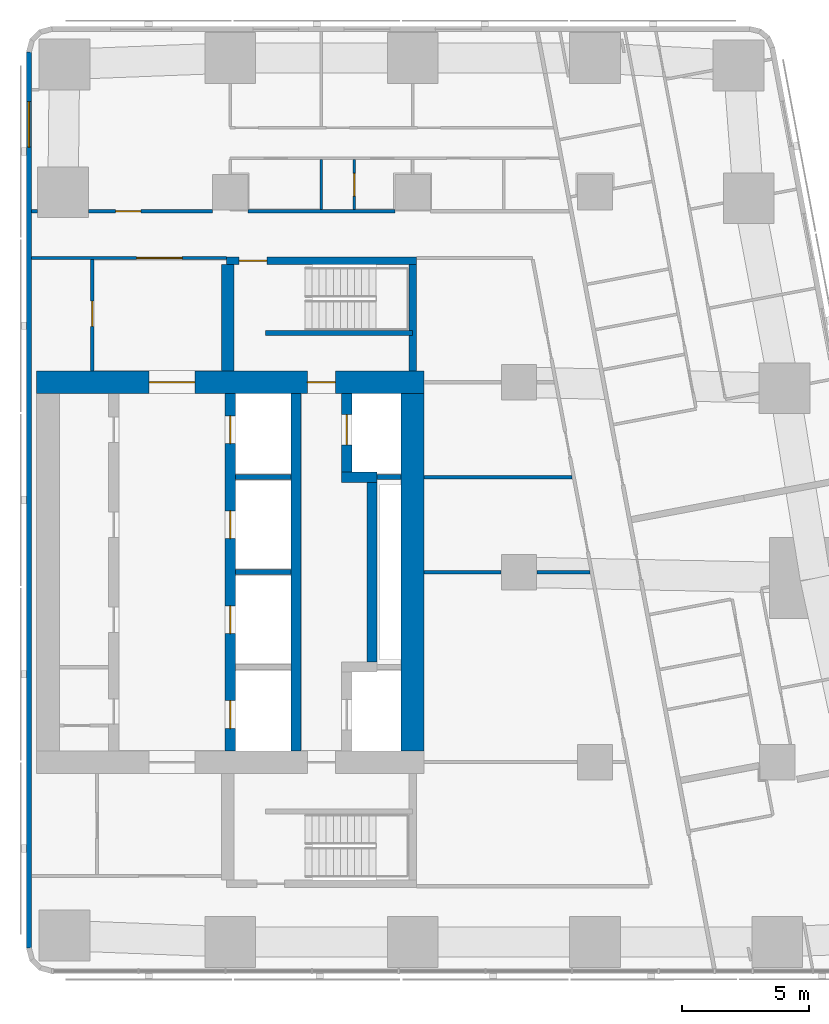
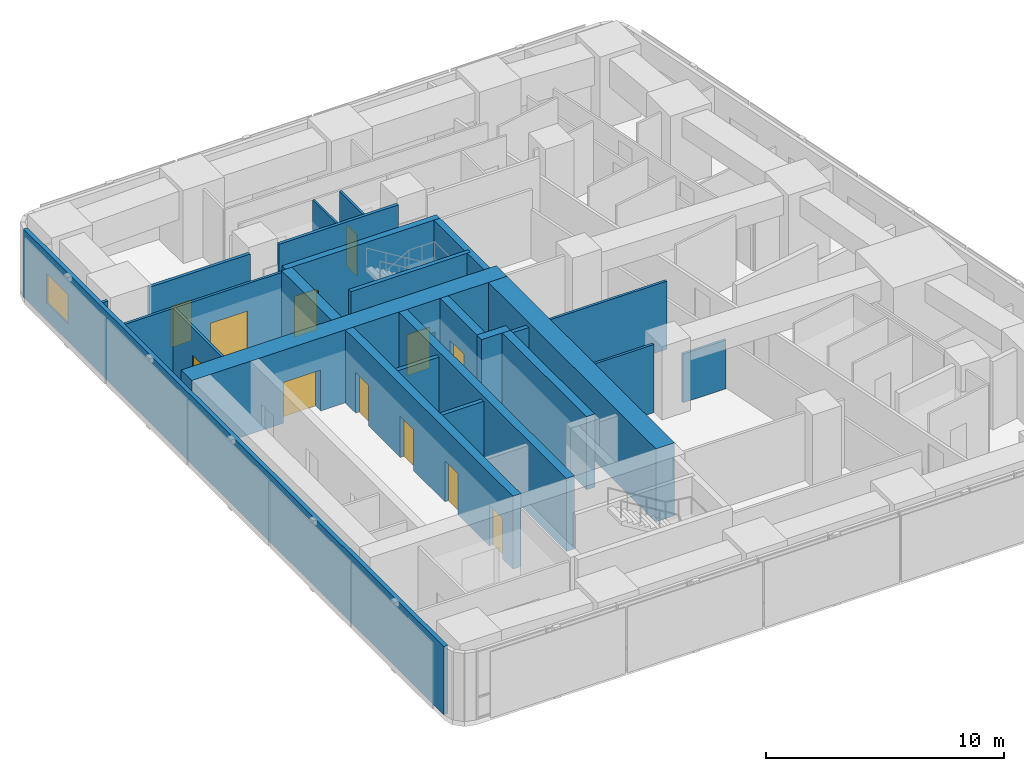
# One storey, part 6 of 11: 25 walls, 12 doors, 1 window, 13 openings.
"""IFC4 building model written with IfcOpenShell, lengths in metres."""

from ifc_helpers import new_model, si_unit, direction, frame, frame_2d, origin, place, context, subcontext, project, spatial, rectangle, extrude, material, layer, layer_set, type_object, element, fill, save


model = new_model("IFC4")

# Units and contexts
model_context = context("Model", 3, precision=1e-05, world=origin(), true_north=direction((0.0, 1.0)))
body_context = subcontext(model_context, "Body", "Model", "MODEL_VIEW")
ifc_project = project(units=[si_unit("LENGTHUNIT", "METRE"), si_unit("AREAUNIT", "SQUARE_METRE"), si_unit("VOLUMEUNIT", "CUBIC_METRE"), si_unit("PLANEANGLEUNIT", "RADIAN"), si_unit("MASSUNIT", "GRAM", prefix="KILO")], contexts=[model_context])

# Site, building, storey
site_placement = place(None, origin())
site = spatial("IfcSite", under=ifc_project, at=site_placement, CompositionType="ELEMENT")
building_placement = place(site_placement, origin())
building = spatial("IfcBuilding", under=site, at=building_placement, Name="Sheger Commons Tower", CompositionType="ELEMENT")
storey_placement = place(building_placement, frame((0.0, 0.0, 266.60009765625)))
storey = spatial("IfcBuildingStorey", under=building, at=storey_placement, Name="L68", CompositionType="ELEMENT", Elevation=266.60009765625)

# Wall, openings, doors
ifc_material_1 = material(Name="Concrete C50/60", Category="concrete")
ifc_layer_1 = layer(ifc_material_1, 0.39990234375)
ifc_layer_set_1 = layer_set([ifc_layer_1], Name="CORE INNER WALL 400")
wall_type_1 = type_object("IfcWallType", Name="CORE INNER WALL 400", PredefinedType="SHEAR", material=ifc_layer_set_1)
wall_1_placement = place(storey_placement, frame((21.60009765625, 15.449951171875, 0.0), z_axis=(0.0, 0.0, 1.0), x_axis=(0.0, 1.0, 0.0)))
wall_1 = element("IfcWall", 1, at=wall_1_placement, inside=storey, type_object=wall_type_1, Name="Core inner wall L L68", PredefinedType="SHEAR", context=body_context, shape_type="SweptSolid", body=[
    extrude(rectangle(XDim=14.10009765625, YDim=0.39990234375, at=frame_2d((7.050048828125, 0.0))), origin(), (0.0, 0.0, 1.0), 3.75),
])
opening_1_placement = place(wall_1_placement, frame((0.875, 0.0, 0.0)))
opening_1 = element("IfcOpeningElement", 2, at=opening_1_placement, cuts=wall_1, Name="Opening LD", PredefinedType="OPENING", context=body_context, shape_type="SweptSolid", body=[
    extrude(rectangle(XDim=1.10009765625, YDim=2.10009765625, at=frame_2d((0.550048828125, 1.050048828125))), frame((0.0, 0.2099609375, 0.0), z_axis=(0.0, -1.0, 0.0), x_axis=(1.0, 0.0, 0.0)), (0.0, 0.0, 1.0), 0.419921875),
])
opening_2_placement = place(wall_1_placement, frame((4.625, 0.0, 0.0)))
opening_2 = element("IfcOpeningElement", 3, at=opening_2_placement, cuts=wall_1, Name="Opening LD", PredefinedType="OPENING", context=body_context, shape_type="SweptSolid", body=[
    extrude(rectangle(XDim=1.10009765625, YDim=2.10009765625, at=frame_2d((0.550048828125, 1.050048828125))), frame((0.0, 0.2099609375, 0.0), z_axis=(0.0, -1.0, 0.0), x_axis=(1.0, 0.0, 0.0)), (0.0, 0.0, 1.0), 0.419921875),
])
opening_3_placement = place(wall_1_placement, frame((8.375, 0.0, 0.0)))
opening_3 = element("IfcOpeningElement", 4, at=opening_3_placement, cuts=wall_1, Name="Opening LD", PredefinedType="OPENING", context=body_context, shape_type="SweptSolid", body=[
    extrude(rectangle(XDim=1.10009765625, YDim=2.10009765625, at=frame_2d((0.550048828125, 1.050048828125))), frame((0.0, 0.2099609375, 0.0), z_axis=(0.0, -1.0, 0.0), x_axis=(1.0, 0.0, 0.0)), (0.0, 0.0, 1.0), 0.419921875),
])
opening_4_placement = place(wall_1_placement, frame((12.125, 0.0, 0.0)))
opening_4 = element("IfcOpeningElement", 5, at=opening_4_placement, cuts=wall_1, Name="Opening LD", PredefinedType="OPENING", context=body_context, shape_type="SweptSolid", body=[
    extrude(rectangle(XDim=1.10009765625, YDim=2.10009765625, at=frame_2d((0.550048828125, 1.050048828125))), frame((0.0, 0.2099609375, 0.0), z_axis=(0.0, -1.0, 0.0), x_axis=(1.0, 0.0, 0.0)), (0.0, 0.0, 1.0), 0.419921875),
])
ifc_material_2 = material(Name="Steel door set, fire rated", Category="steel")
door_type_1 = type_object("IfcDoorType", Name="LIFT LANDING DOOR 1100x2100", OperationType="DOUBLE_DOOR_SLIDING", PredefinedType="DOOR", material=ifc_material_2)
door_1_placement = place(opening_1_placement, origin())
door_1 = element("IfcDoor", 6, at=door_1_placement, inside=storey, type_object=door_type_1, Name="Lift LB1 landing door", OperationType="DOUBLE_DOOR_SLIDING", OverallHeight=2.10009765625, OverallWidth=1.10009765625, PredefinedType="DOOR", context=body_context, shape_type="SweptSolid", body=[
    extrude(rectangle(XDim=1.10009765625, YDim=2.10009765625, at=frame_2d((0.550048828125, 1.050048828125))), frame((0.0, 0.02490234375, 0.0), z_axis=(0.0, -1.0, 0.0), x_axis=(1.0, 0.0, 0.0)), (0.0, 0.0, 1.0), 0.050048828125),
])
fill(opening_1, door_1)
door_2_placement = place(opening_2_placement, origin())
door_2 = element("IfcDoor", 7, at=door_2_placement, inside=storey, type_object=door_type_1, Name="Lift LB2 landing door", OperationType="DOUBLE_DOOR_SLIDING", OverallHeight=2.10009765625, OverallWidth=1.10009765625, PredefinedType="DOOR", context=body_context, shape_type="SweptSolid", body=[
    extrude(rectangle(XDim=1.10009765625, YDim=2.10009765625, at=frame_2d((0.550048828125, 1.050048828125))), frame((0.0, 0.02490234375, 0.0), z_axis=(0.0, -1.0, 0.0), x_axis=(1.0, 0.0, 0.0)), (0.0, 0.0, 1.0), 0.050048828125),
])
fill(opening_2, door_2)
door_3_placement = place(opening_3_placement, origin())
door_3 = element("IfcDoor", 8, at=door_3_placement, inside=storey, type_object=door_type_1, Name="Lift LB3 landing door", OperationType="DOUBLE_DOOR_SLIDING", OverallHeight=2.10009765625, OverallWidth=1.10009765625, PredefinedType="DOOR", context=body_context, shape_type="SweptSolid", body=[
    extrude(rectangle(XDim=1.10009765625, YDim=2.10009765625, at=frame_2d((0.550048828125, 1.050048828125))), frame((0.0, 0.02490234375, 0.0), z_axis=(0.0, -1.0, 0.0), x_axis=(1.0, 0.0, 0.0)), (0.0, 0.0, 1.0), 0.050048828125),
])
fill(opening_3, door_3)
door_4_placement = place(opening_4_placement, origin())
door_4 = element("IfcDoor", 9, at=door_4_placement, inside=storey, type_object=door_type_1, Name="Lift LB4 landing door", OperationType="DOUBLE_DOOR_SLIDING", OverallHeight=2.10009765625, OverallWidth=1.10009765625, PredefinedType="DOOR", context=body_context, shape_type="SweptSolid", body=[
    extrude(rectangle(XDim=1.10009765625, YDim=2.10009765625, at=frame_2d((0.550048828125, 1.050048828125))), frame((0.0, 0.02490234375, 0.0), z_axis=(0.0, -1.0, 0.0), x_axis=(1.0, 0.0, 0.0)), (0.0, 0.0, 1.0), 0.050048828125),
])
fill(opening_4, door_4)

# Walls
wall_2_placement = place(storey_placement, frame((24.199951171875, 15.449951171875, 0.0), z_axis=(0.0, 0.0, 1.0), x_axis=(0.0, 1.0, 0.0)))
element("IfcWall", 10, at=wall_2_placement, inside=storey, type_object=wall_type_1, Name="Core inner wall B L68", PredefinedType="SHEAR", context=body_context, shape_type="SweptSolid", body=[
    extrude(rectangle(XDim=14.10009765625, YDim=0.39990234375, at=frame_2d((7.050048828125, 0.0))), origin(), (0.0, 0.0, 1.0), 3.75),
])
wall_3_placement = place(storey_placement, frame((27.199951171875, 18.949951171875, 0.0), z_axis=(0.0, 0.0, 1.0), x_axis=(0.0, 1.0, 0.0)))
element("IfcWall", 11, at=wall_3_placement, inside=storey, type_object=wall_type_1, Name="Core inner wall F middle L68", PredefinedType="SHEAR", context=body_context, shape_type="SweptSolid", body=[
    extrude(rectangle(XDim=7.10009765625, YDim=0.39990234375, at=frame_2d((3.550048828125, 0.0))), origin(), (0.0, 0.0, 1.0), 3.75),
])
wall_4_placement = place(storey_placement, frame((26.0, 26.25, 0.0), z_axis=(0.0, 0.0, 1.0), x_axis=(1.0, 0.0, 0.0)))
element("IfcWall", 12, at=wall_4_placement, inside=storey, type_object=wall_type_1, Name="Core inner wall F north return L68", PredefinedType="SHEAR", context=body_context, shape_type="SweptSolid", body=[
    extrude(rectangle(XDim=1.39990234375, YDim=0.39990234375, at=frame_2d((0.699951171875, 0.0))), origin(), (0.0, 0.0, 1.0), 3.75),
])

# Wall, opening, door
wall_5_placement = place(storey_placement, frame((26.199951171875, 26.449951171875, 0.0), z_axis=(0.0, 0.0, 1.0), x_axis=(0.0, 1.0, 0.0)))
wall_5 = element("IfcWall", 13, at=wall_5_placement, inside=storey, type_object=wall_type_1, Name="Core inner wall F north L68", PredefinedType="SHEAR", context=body_context, shape_type="SweptSolid", body=[
    extrude(rectangle(XDim=3.10009765625, YDim=0.39990234375, at=frame_2d((1.550048828125, 0.0))), origin(), (0.0, 0.0, 1.0), 3.75),
])
opening_5_placement = place(wall_5_placement, frame((1.074951171875, 0.0, 0.0)))
opening_5 = element("IfcOpeningElement", 14, at=opening_5_placement, cuts=wall_5, Name="Opening LD2", PredefinedType="OPENING", context=body_context, shape_type="SweptSolid", body=[
    extrude(rectangle(XDim=1.199951171875, YDim=2.10009765625, at=frame_2d((0.60009765625, 1.050048828125))), frame((0.0, 0.2099609375, 0.0), z_axis=(0.0, -1.0, 0.0), x_axis=(1.0, 0.0, 0.0)), (0.0, 0.0, 1.0), 0.419921875),
])
ifc_material_3 = material(Name="Steel door set, fire rated", Category="steel")
door_type_2 = type_object("IfcDoorType", Name="FIREFIGHTING LIFT LANDING DOOR 1200x2100", OperationType="DOUBLE_DOOR_SLIDING", PredefinedType="DOOR", material=ifc_material_3)
door_5_placement = place(opening_5_placement, origin())
door_5 = element("IfcDoor", 15, at=door_5_placement, inside=storey, type_object=door_type_2, Name="Lift FL2 landing door", OperationType="DOUBLE_DOOR_SLIDING", OverallHeight=2.10009765625, OverallWidth=1.199951171875, PredefinedType="DOOR", context=body_context, shape_type="SweptSolid", body=[
    extrude(rectangle(XDim=1.199951171875, YDim=2.10009765625, at=frame_2d((0.60009765625, 1.050048828125))), frame((0.0, 0.02490234375, 0.0), z_axis=(0.0, -1.0, 0.0), x_axis=(1.0, 0.0, 0.0)), (0.0, 0.0, 1.0), 0.050048828125),
])
fill(opening_5, door_5)

# Wall, openings, doors
ifc_material_4 = material(Name="Concrete C50/60", Category="concrete")
ifc_layer_2 = layer(ifc_material_4, 0.89990234375)
ifc_layer_set_2 = layer_set([ifc_layer_2], Name="CORE WALL 900")
wall_type_2 = type_object("IfcWallType", Name="CORE WALL 900", PredefinedType="SHEAR", material=ifc_layer_set_2)
wall_6_placement = place(storey_placement, frame((13.949951171875, 30.0, 0.0), z_axis=(0.0, 0.0, 1.0), x_axis=(1.0, 0.0, 0.0)))
wall_6 = element("IfcWall", 16, at=wall_6_placement, inside=storey, type_object=wall_type_2, Name="Core wall north L68", PredefinedType="SHEAR", context=body_context, shape_type="SweptSolid", body=[
    extrude(rectangle(XDim=15.300048828125, YDim=0.89990234375, at=frame_2d((7.64990234375, 0.0))), origin(), (0.0, 0.0, 1.0), 3.75),
])
opening_6_placement = place(wall_6_placement, frame((4.449951171875, 0.0, 0.0)))
opening_6 = element("IfcOpeningElement", 17, at=opening_6_placement, cuts=wall_6, Name="Opening D6", PredefinedType="OPENING", context=body_context, shape_type="SweptSolid", body=[
    extrude(rectangle(XDim=1.800048828125, YDim=2.10009765625, at=frame_2d((0.89990234375, 1.050048828125))), frame((0.0, 0.4599609375, 0.0), z_axis=(0.0, -1.0, 0.0), x_axis=(1.0, 0.0, 0.0)), (0.0, 0.0, 1.0), 0.919921875),
])
opening_7_placement = place(wall_6_placement, frame((10.699951171875, 0.0, 0.0)))
opening_7 = element("IfcOpeningElement", 18, at=opening_7_placement, cuts=wall_6, Name="Opening D5", PredefinedType="OPENING", context=body_context, shape_type="SweptSolid", body=[
    extrude(rectangle(XDim=1.10009765625, YDim=2.10009765625, at=frame_2d((0.550048828125, 1.050048828125))), frame((0.0, 0.4599609375, 0.0), z_axis=(0.0, -1.0, 0.0), x_axis=(1.0, 0.0, 0.0)), (0.0, 0.0, 1.0), 0.919921875),
])
ifc_material_5 = material(Name="Steel door set, fire rated", Category="steel")
door_type_3 = type_object("IfcDoorType", Name="LOBBY DOUBLE DOOR 1800x2100", OperationType="DOUBLE_DOOR_SINGLE_SWING", PredefinedType="DOOR", material=ifc_material_5)
door_6_placement = place(opening_6_placement, origin())
door_6 = element("IfcDoor", 19, at=door_6_placement, inside=storey, type_object=door_type_3, Name="Lift lobby door", OperationType="DOUBLE_DOOR_SINGLE_SWING", OverallHeight=2.10009765625, OverallWidth=1.800048828125, PredefinedType="DOOR", context=body_context, shape_type="SweptSolid", body=[
    extrude(rectangle(XDim=1.800048828125, YDim=2.10009765625, at=frame_2d((0.89990234375, 1.050048828125))), frame((0.0, 0.02490234375, 0.0), z_axis=(0.0, -1.0, 0.0), x_axis=(1.0, 0.0, 0.0)), (0.0, 0.0, 1.0), 0.050048828125),
])
fill(opening_6, door_6)
ifc_material_6 = material(Name="Steel door set, fire rated", Category="steel")
door_type_4 = type_object("IfcDoorType", Name="STAIR DOOR 1100x2100", OperationType="NOTDEFINED", PredefinedType="DOOR", material=ifc_material_6)
door_7_placement = place(opening_7_placement, origin())
door_7 = element("IfcDoor", 20, at=door_7_placement, inside=storey, type_object=door_type_4, Name="Fire-fighting lobby door", OperationType="SINGLE_SWING_RIGHT", OverallHeight=2.10009765625, OverallWidth=1.10009765625, PredefinedType="DOOR", context=body_context, shape_type="SweptSolid", body=[
    extrude(rectangle(XDim=1.10009765625, YDim=2.10009765625, at=frame_2d((0.550048828125, 1.050048828125))), frame((0.0, 0.02490234375, 0.0), z_axis=(0.0, -1.0, 0.0), x_axis=(1.0, 0.0, 0.0)), (0.0, 0.0, 1.0), 0.050048828125),
])
fill(opening_7, door_7)

# Walls
wall_7_placement = place(storey_placement, frame((28.800048828125, 15.449951171875, 0.0), z_axis=(0.0, 0.0, 1.0), x_axis=(0.0, 1.0, 0.0)))
element("IfcWall", 21, at=wall_7_placement, inside=storey, type_object=wall_type_2, Name="Core wall east L68", PredefinedType="SHEAR", context=body_context, shape_type="SweptSolid", body=[
    extrude(rectangle(XDim=14.10009765625, YDim=0.89990234375, at=frame_2d((7.050048828125, 0.0))), origin(), (0.0, 0.0, 1.0), 3.75),
])
ifc_material_7 = material(Name="Hollow concrete block masonry, skimmed both sides", Category="masonry")
ifc_layer_3 = layer(ifc_material_7, 0.14990234375)
ifc_layer_set_3 = layer_set([ifc_layer_3], Name="CORRIDOR WALL 150")
wall_type_3 = type_object("IfcWallType", Name="CORRIDOR WALL 150", PredefinedType="SOLIDWALL", material=ifc_layer_set_3)
wall_8_placement = place(storey_placement, frame((13.75, 36.75, 0.0), z_axis=(0.0, 0.0, 1.0), x_axis=(1.0, 0.0, 0.0)))
element("IfcWall", 22, at=wall_8_placement, inside=storey, type_object=wall_type_3, Name="Corridor wall L68", PredefinedType="SOLIDWALL", context=body_context, shape_type="SweptSolid", body=[
    extrude(rectangle(XDim=0.2490234375, YDim=0.14990234375, at=frame_2d((0.12451171875, 0.0))), origin(), (0.0, 0.0, 1.0), 3.5),
])

# Wall, opening, door
wall_9_placement = place(storey_placement, frame((16.0009765625, 36.75, 0.0), z_axis=(0.0, 0.0, 1.0), x_axis=(1.0, 0.0, 0.0)))
wall_9 = element("IfcWall", 23, at=wall_9_placement, inside=storey, type_object=wall_type_3, Name="Corridor wall L68", PredefinedType="SOLIDWALL", context=body_context, shape_type="SweptSolid", body=[
    extrude(rectangle(XDim=4.89794921875, YDim=0.14990234375, at=frame_2d((2.448974609375, 0.0))), origin(), (0.0, 0.0, 1.0), 3.5),
])
opening_8_placement = place(wall_9_placement, frame((1.073974609375, 0.0, 0.0)))
opening_8 = element("IfcOpeningElement", 24, at=opening_8_placement, cuts=wall_9, Name="Opening D1", PredefinedType="OPENING", context=body_context, shape_type="SweptSolid", body=[
    extrude(rectangle(XDim=1.0, YDim=2.10009765625, at=frame_2d((0.5, 1.050048828125))), frame((0.0, 0.0849609375, 0.0), z_axis=(0.0, -1.0, 0.0), x_axis=(1.0, 0.0, 0.0)), (0.0, 0.0, 1.0), 0.169921875),
])
ifc_material_8 = material(Name="Steel door set, fire rated", Category="steel")
door_type_5 = type_object("IfcDoorType", Name="FLAT ENTRANCE DOOR 1000x2100", OperationType="NOTDEFINED", PredefinedType="DOOR", material=ifc_material_8)
door_8_placement = place(opening_8_placement, origin())
door_8 = element("IfcDoor", 25, at=door_8_placement, inside=storey, type_object=door_type_5, Name="Flat entrance door", OperationType="SINGLE_SWING_LEFT", OverallHeight=2.10009765625, OverallWidth=1.0, PredefinedType="DOOR", context=body_context, shape_type="SweptSolid", body=[
    extrude(rectangle(XDim=1.0, YDim=2.10009765625, at=frame_2d((0.5, 1.050048828125))), frame((0.0, 0.02490234375, 0.0), z_axis=(0.0, -1.0, 0.0), x_axis=(1.0, 0.0, 0.0)), (0.0, 0.0, 1.0), 0.050048828125),
])
fill(opening_8, door_8)

# Wall
wall_10_placement = place(storey_placement, frame((22.301025390625, 36.75, 0.0), z_axis=(0.0, 0.0, 1.0), x_axis=(1.0, 0.0, 0.0)))
element("IfcWall", 26, at=wall_10_placement, inside=storey, type_object=wall_type_3, Name="Corridor wall L68", PredefinedType="SOLIDWALL", context=body_context, shape_type="SweptSolid", body=[
    extrude(rectangle(XDim=5.798095703125, YDim=0.14990234375, at=frame_2d((2.89892578125, 0.0))), origin(), (0.0, 0.0, 1.0), 3.5),
])

# Wall, opening, window
ifc_material_9 = material(Name="Rendered concrete block masonry, dark grey", Category="masonry")
ifc_layer_4 = layer(ifc_material_9, 0.199951171875)
ifc_layer_set_4 = layer_set([ifc_layer_4], Name="FACADE WALL 200")
wall_type_4 = type_object("IfcWallType", Name="FACADE WALL 200", PredefinedType="SOLIDWALL", material=ifc_layer_set_4)
wall_11_placement = place(storey_placement, frame((13.64990234375, 43.037109375, 0.0), z_axis=(0.0, 0.0, 1.0), x_axis=(0.0, -1.0, 0.0)))
wall_11 = element("IfcWall", 27, at=wall_11_placement, inside=storey, type_object=wall_type_4, Name="Facade wall L68", PredefinedType="SOLIDWALL", context=body_context, shape_type="SweptSolid", body=[
    extrude(rectangle(XDim=35.3740234375, YDim=0.199951171875, at=frame_2d((17.68701171875, 0.0))), origin(), (0.0, 0.0, 1.0), 3.5),
])
opening_9_placement = place(wall_11_placement, frame((1.958984375, 0.0, 0.89990234375)))
opening_9 = element("IfcOpeningElement", 28, at=opening_9_placement, cuts=wall_11, Name="Opening W2", PredefinedType="OPENING", context=body_context, shape_type="SweptSolid", body=[
    extrude(rectangle(XDim=1.800048828125, YDim=1.5, at=frame_2d((0.89990234375, 0.75))), frame((0.0, 0.10986328125, 0.0), z_axis=(0.0, -1.0, 0.0), x_axis=(1.0, 0.0, 0.0)), (0.0, 0.0, 1.0), 0.219970703125),
])
ifc_material_10 = material(Name="Black aluminium frame, dark tinted double glazing", Category="aluminium")
window_type = type_object("IfcWindowType", Name="WINDOW W2 1800x1500", PartitioningType="SINGLE_PANEL", PredefinedType="WINDOW", material=ifc_material_10)
window_placement = place(opening_9_placement, origin())
window = element("IfcWindow", 29, at=window_placement, inside=storey, type_object=window_type, Name="Window W2 1800X1500", OverallHeight=1.5, OverallWidth=1.800048828125, PartitioningType="SINGLE_PANEL", PredefinedType="WINDOW", context=body_context, shape_type="SweptSolid", body=[
    extrude(rectangle(XDim=1.800048828125, YDim=1.5, at=frame_2d((0.89990234375, 0.75))), frame((0.0, 0.030029296875, 0.0), z_axis=(0.0, -1.0, 0.0), x_axis=(1.0, 0.0, 0.0)), (0.0, 0.0, 1.0), 0.06005859375),
])
fill(opening_9, window)

# Wall
ifc_material_11 = material(Name="Gypsum board on steel studs", Category="steel")
ifc_layer_5 = layer(ifc_material_11, 0.10009765625)
ifc_layer_set_5 = layer_set([ifc_layer_5], Name="PARTITION 100")
wall_type_5 = type_object("IfcWallType", Name="PARTITION 100", PredefinedType="PARTITIONING", material=ifc_layer_set_5)
wall_12_placement = place(storey_placement, frame((25.199951171875, 36.824951171875, 0.0), z_axis=(0.0, 0.0, 1.0), x_axis=(0.0, 1.0, 0.0)))
element("IfcWall", 30, at=wall_12_placement, inside=storey, type_object=wall_type_5, Name="Partition L68", PredefinedType="PARTITIONING", context=body_context, shape_type="SweptSolid", body=[
    extrude(rectangle(XDim=1.97509765625, YDim=0.10009765625, at=frame_2d((0.987548828125, 0.0))), origin(), (0.0, 0.0, 1.0), 3.5),
])

# Wall, opening, door
wall_13_placement = place(storey_placement, frame((26.5, 36.824951171875, 0.0), z_axis=(0.0, 0.0, 1.0), x_axis=(0.0, 1.0, 0.0)))
wall_13 = element("IfcWall", 31, at=wall_13_placement, inside=storey, type_object=wall_type_5, Name="Partition L68", PredefinedType="PARTITIONING", context=body_context, shape_type="SweptSolid", body=[
    extrude(rectangle(XDim=1.97509765625, YDim=0.10009765625, at=frame_2d((0.987548828125, 0.0))), origin(), (0.0, 0.0, 1.0), 3.5),
])
opening_10_placement = place(wall_13_placement, frame((0.52490234375, 0.0, 0.0)))
opening_10 = element("IfcOpeningElement", 32, at=opening_10_placement, cuts=wall_13, Name="Opening D2", PredefinedType="OPENING", context=body_context, shape_type="SweptSolid", body=[
    extrude(rectangle(XDim=0.89990234375, YDim=2.10009765625, at=frame_2d((0.449951171875, 1.050048828125))), frame((0.0, 0.06005859375, 0.0), z_axis=(0.0, -1.0, 0.0), x_axis=(1.0, 0.0, 0.0)), (0.0, 0.0, 1.0), 0.1201171875),
])
ifc_material_12 = material(Name="Timber door set", Category="wood")
door_type_6 = type_object("IfcDoorType", Name="INTERNAL DOOR 900x2100", OperationType="NOTDEFINED", PredefinedType="DOOR", material=ifc_material_12)
door_9_placement = place(opening_10_placement, origin())
door_9 = element("IfcDoor", 33, at=door_9_placement, inside=storey, type_object=door_type_6, Name="Linen store door", OperationType="SINGLE_SWING_LEFT", OverallHeight=2.10009765625, OverallWidth=0.89990234375, PredefinedType="DOOR", context=body_context, shape_type="SweptSolid", body=[
    extrude(rectangle(XDim=0.89990234375, YDim=2.10009765625, at=frame_2d((0.449951171875, 1.050048828125))), frame((0.0, 0.02490234375, 0.0), z_axis=(0.0, -1.0, 0.0), x_axis=(1.0, 0.0, 0.0)), (0.0, 0.0, 1.0), 0.050048828125),
])
fill(opening_10, door_9)

ifc_material_13 = material(Name="Gypsum board on steel studs, two layers each side, fire rated", Category="steel")
ifc_layer_6 = layer(ifc_material_13, 0.125)
ifc_layer_set_6 = layer_set([ifc_layer_6], Name="SERVICE WALL 125")
wall_type_6 = type_object("IfcWallType", Name="SERVICE WALL 125", PredefinedType="PARTITIONING", material=ifc_layer_set_6)
wall_14_placement = place(storey_placement, frame((13.75, 34.89990234375, 0.0), z_axis=(0.0, 0.0, 1.0), x_axis=(1.0, 0.0, 0.0)))
wall_14 = element("IfcWall", 34, at=wall_14_placement, inside=storey, type_object=wall_type_6, Name="Service room wall L68", PredefinedType="PARTITIONING", context=body_context, shape_type="SweptSolid", body=[
    extrude(rectangle(XDim=7.699951171875, YDim=0.125, at=frame_2d((3.85009765625, 0.0))), origin(), (0.0, 0.0, 1.0), 3.5),
])
opening_11_placement = place(wall_14_placement, frame((4.14990234375, 0.0, 0.0)))
opening_11 = element("IfcOpeningElement", 35, at=opening_11_placement, cuts=wall_14, Name="Opening D6", PredefinedType="OPENING", context=body_context, shape_type="SweptSolid", body=[
    extrude(rectangle(XDim=1.800048828125, YDim=2.10009765625, at=frame_2d((0.89990234375, 1.050048828125))), frame((0.0, 0.072509765625, 0.0), z_axis=(0.0, -1.0, 0.0), x_axis=(1.0, 0.0, 0.0)), (0.0, 0.0, 1.0), 0.14501953125),
])
door_10_placement = place(opening_11_placement, origin())
door_10 = element("IfcDoor", 36, at=door_10_placement, inside=storey, type_object=door_type_3, Name="Lift lobby north door", OperationType="DOUBLE_DOOR_SINGLE_SWING", OverallHeight=2.10009765625, OverallWidth=1.800048828125, PredefinedType="DOOR", context=body_context, shape_type="SweptSolid", body=[
    extrude(rectangle(XDim=1.800048828125, YDim=2.10009765625, at=frame_2d((0.89990234375, 1.050048828125))), frame((0.0, 0.02490234375, 0.0), z_axis=(0.0, -1.0, 0.0), x_axis=(1.0, 0.0, 0.0)), (0.0, 0.0, 1.0), 0.050048828125),
])
fill(opening_11, door_10)

wall_15_placement = place(storey_placement, frame((16.14990234375, 30.449951171875, 0.0), z_axis=(0.0, 0.0, 1.0), x_axis=(0.0, 1.0, 0.0)))
wall_15 = element("IfcWall", 37, at=wall_15_placement, inside=storey, type_object=wall_type_6, Name="Service room wall L68", PredefinedType="PARTITIONING", context=body_context, shape_type="SweptSolid", body=[
    extrude(rectangle(XDim=4.386962890625, YDim=0.125, at=frame_2d((2.193359375, 0.0))), origin(), (0.0, 0.0, 1.0), 3.5),
])
opening_12_placement = place(wall_15_placement, frame((1.75, 0.0, 0.0)))
opening_12 = element("IfcOpeningElement", 38, at=opening_12_placement, cuts=wall_15, Name="Opening D4", PredefinedType="OPENING", context=body_context, shape_type="SweptSolid", body=[
    extrude(rectangle(XDim=1.0, YDim=2.10009765625, at=frame_2d((0.5, 1.050048828125))), frame((0.0, 0.072509765625, 0.0), z_axis=(0.0, -1.0, 0.0), x_axis=(1.0, 0.0, 0.0)), (0.0, 0.0, 1.0), 0.14501953125),
])
ifc_material_14 = material(Name="Steel door set, fire rated", Category="steel")
door_type_7 = type_object("IfcDoorType", Name="SERVICE DOOR 1000x2100", OperationType="NOTDEFINED", PredefinedType="DOOR", material=ifc_material_14)
door_11_placement = place(opening_12_placement, origin())
door_11 = element("IfcDoor", 39, at=door_11_placement, inside=storey, type_object=door_type_7, Name="Telecom room door", OperationType="SINGLE_SWING_RIGHT", OverallHeight=2.10009765625, OverallWidth=1.0, PredefinedType="DOOR", context=body_context, shape_type="SweptSolid", body=[
    extrude(rectangle(XDim=1.0, YDim=2.10009765625, at=frame_2d((0.5, 1.050048828125))), frame((0.0, 0.02490234375, 0.0), z_axis=(0.0, -1.0, 0.0), x_axis=(1.0, 0.0, 0.0)), (0.0, 0.0, 1.0), 0.050048828125),
])
fill(opening_12, door_11)

# Walls
wall_16_placement = place(storey_placement, frame((29.25, 22.5, 0.0), z_axis=(0.0, 0.0, 1.0), x_axis=(1.0, 0.0, 0.0)))
element("IfcWall", 40, at=wall_16_placement, inside=storey, type_object=wall_type_6, Name="Service room wall L68", PredefinedType="PARTITIONING", context=body_context, shape_type="SweptSolid", body=[
    extrude(rectangle(XDim=3.049072265625, YDim=0.125, at=frame_2d((1.5244140625, 0.0))), origin(), (0.0, 0.0, 1.0), 3.5),
])
wall_17_placement = place(storey_placement, frame((33.700927734375, 22.5, 0.0), z_axis=(0.0, 0.0, 1.0), x_axis=(1.0, 0.0, 0.0)))
element("IfcWall", 41, at=wall_17_placement, inside=storey, type_object=wall_type_6, Name="Service room wall L68", PredefinedType="PARTITIONING", context=body_context, shape_type="SweptSolid", body=[
    extrude(rectangle(XDim=2.094970703125, YDim=0.125, at=frame_2d((1.04736328125, 0.0))), origin(), (0.0, 0.0, 1.0), 2.5),
])
wall_18_placement = place(storey_placement, frame((29.25, 26.25, 0.0), z_axis=(0.0, 0.0, 1.0), x_axis=(1.0, 0.0, 0.0)))
element("IfcWall", 42, at=wall_18_placement, inside=storey, type_object=wall_type_6, Name="Service room wall L68", PredefinedType="PARTITIONING", context=body_context, shape_type="SweptSolid", body=[
    extrude(rectangle(XDim=5.837890625, YDim=0.125, at=frame_2d((2.9189453125, 0.0))), origin(), (0.0, 0.0, 1.0), 3.5),
])
ifc_material_15 = material(Name="Hollow concrete block masonry", Category="masonry")
ifc_layer_7 = layer(ifc_material_15, 0.199951171875)
ifc_layer_set_7 = layer_set([ifc_layer_7], Name="SHAFT WALL 200")
wall_type_7 = type_object("IfcWallType", Name="SHAFT WALL 200", PredefinedType="SOLIDWALL", material=ifc_layer_set_7)
for number, where, z_axis, x_axis, name in (
    (43, (21.800048828125, 22.5, 0.0), (0.0, 0.0, 1.0), (1.0, 0.0, 0.0), "Lift shaft wall L68"),
    (44, (21.800048828125, 26.25, 0.0), (0.0, 0.0, 1.0), (1.0, 0.0, 0.0), "Lift shaft wall L68"),
):
    element("IfcWall", number, at=place(storey_placement, frame(where, z_axis=z_axis, x_axis=x_axis)), inside=storey, type_object=wall_type_7, Name=name, PredefinedType="SOLIDWALL", context=body_context, shape_type="SweptSolid", body=[
        extrude(rectangle(XDim=2.199951171875, YDim=0.199951171875, at=frame_2d((1.10009765625, 0.0))), origin(), (0.0, 0.0, 1.0), 3.5),
    ])
wall_19_placement = place(storey_placement, frame((27.39990234375, 26.25, 0.0), z_axis=(0.0, 0.0, 1.0), x_axis=(1.0, 0.0, 0.0)))
element("IfcWall", 45, at=wall_19_placement, inside=storey, type_object=wall_type_7, Name="Lift shaft wall L68", PredefinedType="SOLIDWALL", context=body_context, shape_type="SweptSolid", body=[
    extrude(rectangle(XDim=0.9501953125, YDim=0.199951171875, at=frame_2d((0.47509765625, 0.0))), origin(), (0.0, 0.0, 1.0), 3.5),
])

# Wall, opening, door
ifc_material_16 = material(Name="Concrete C50/60", Category="concrete")
ifc_layer_8 = layer(ifc_material_16, 0.300048828125)
ifc_layer_set_8 = layer_set([ifc_layer_8], Name="STAIR CORE WALL 300")
wall_type_8 = type_object("IfcWallType", Name="STAIR CORE WALL 300", PredefinedType="SHEAR", material=ifc_layer_set_8)
wall_20_placement = place(storey_placement, frame((21.449951171875, 34.800048828125, 0.0), z_axis=(0.0, 0.0, 1.0), x_axis=(1.0, 0.0, 0.0)))
wall_20 = element("IfcWall", 46, at=wall_20_placement, inside=storey, type_object=wall_type_8, Name="STW-L68-S2N", PredefinedType="SHEAR", context=body_context, shape_type="SweptSolid", body=[
    extrude(rectangle(XDim=7.5, YDim=0.300048828125, at=frame_2d((3.75, 0.0))), origin(), (0.0, 0.0, 1.0), 3.75),
])
opening_13_placement = place(wall_20_placement, frame((0.5, 0.0, 0.0)))
opening_13 = element("IfcOpeningElement", 47, at=opening_13_placement, cuts=wall_20, Name="Opening D5", PredefinedType="OPENING", context=body_context, shape_type="SweptSolid", body=[
    extrude(rectangle(XDim=1.10009765625, YDim=2.10009765625, at=frame_2d((0.550048828125, 1.050048828125))), frame((0.0, 0.159912109375, 0.0), z_axis=(0.0, -1.0, 0.0), x_axis=(1.0, 0.0, 0.0)), (0.0, 0.0, 1.0), 0.320068359375),
])
door_12_placement = place(opening_13_placement, origin())
door_12 = element("IfcDoor", 48, at=door_12_placement, inside=storey, type_object=door_type_4, Name="Stair S2 door", OperationType="SINGLE_SWING_RIGHT", OverallHeight=2.10009765625, OverallWidth=1.10009765625, PredefinedType="DOOR", context=body_context, shape_type="SweptSolid", body=[
    extrude(rectangle(XDim=1.10009765625, YDim=2.10009765625, at=frame_2d((0.550048828125, 1.050048828125))), frame((0.0, 0.02490234375, 0.0), z_axis=(0.0, -1.0, 0.0), x_axis=(1.0, 0.0, 0.0)), (0.0, 0.0, 1.0), 0.050048828125),
])
fill(opening_13, door_12)

# Walls
wall_21_placement = place(storey_placement, frame((28.800048828125, 30.449951171875, 0.0), z_axis=(0.0, 0.0, 1.0), x_axis=(0.0, 1.0, 0.0)))
element("IfcWall", 49, at=wall_21_placement, inside=storey, type_object=wall_type_8, Name="STW-L68-S2E", PredefinedType="SHEAR", context=body_context, shape_type="SweptSolid", body=[
    extrude(rectangle(XDim=4.199951171875, YDim=0.300048828125, at=frame_2d((2.10009765625, 0.0))), origin(), (0.0, 0.0, 1.0), 3.75),
])
ifc_material_17 = material(Name="Concrete C50/60", Category="concrete")
ifc_layer_9 = layer(ifc_material_17, 0.5)
ifc_layer_set_9 = layer_set([ifc_layer_9], Name="STAIR CORE WALL 500")
wall_type_9 = type_object("IfcWallType", Name="STAIR CORE WALL 500", PredefinedType="SHEAR", material=ifc_layer_set_9)
wall_22_placement = place(storey_placement, frame((21.5, 30.449951171875, 0.0), z_axis=(0.0, 0.0, 1.0), x_axis=(0.0, 1.0, 0.0)))
element("IfcWall", 50, at=wall_22_placement, inside=storey, type_object=wall_type_9, Name="STW-L68-S2W", PredefinedType="SHEAR", context=body_context, shape_type="SweptSolid", body=[
    extrude(rectangle(XDim=4.199951171875, YDim=0.5, at=frame_2d((2.10009765625, 0.0))), origin(), (0.0, 0.0, 1.0), 3.75),
])
ifc_material_18 = material(Name="Concrete C50/60", Category="concrete")
ifc_layer_10 = layer(ifc_material_18, 0.199951171875)
ifc_layer_set_10 = layer_set([ifc_layer_10], Name="STAIR SPINE WALL 200")
wall_type_10 = type_object("IfcWallType", Name="STAIR SPINE WALL 200", PredefinedType="SHEAR", material=ifc_layer_set_10)
wall_23_placement = place(storey_placement, frame((23.0, 31.949951171875, 0.0), z_axis=(0.0, 0.0, 1.0), x_axis=(1.0, 0.0, 0.0)))
element("IfcWall", 51, at=wall_23_placement, inside=storey, type_object=wall_type_10, Name="Stair spine wall L68", PredefinedType="SHEAR", context=body_context, shape_type="SweptSolid", body=[
    extrude(rectangle(XDim=5.800048828125, YDim=0.199951171875, at=frame_2d((2.89990234375, 0.0))), origin(), (0.0, 0.0, 1.0), 3.75),
])

save(model, "model.ifc")
